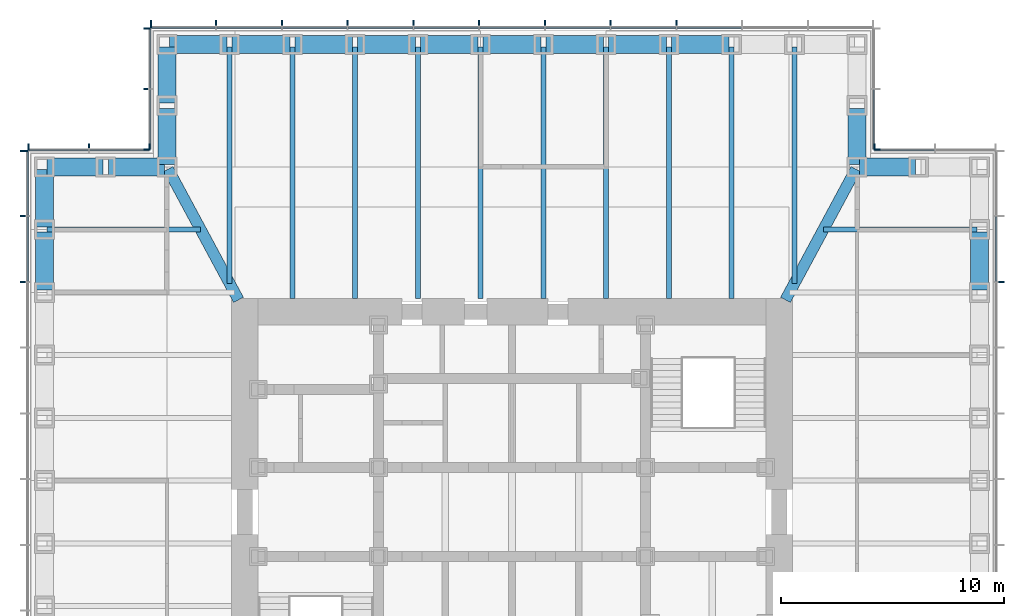
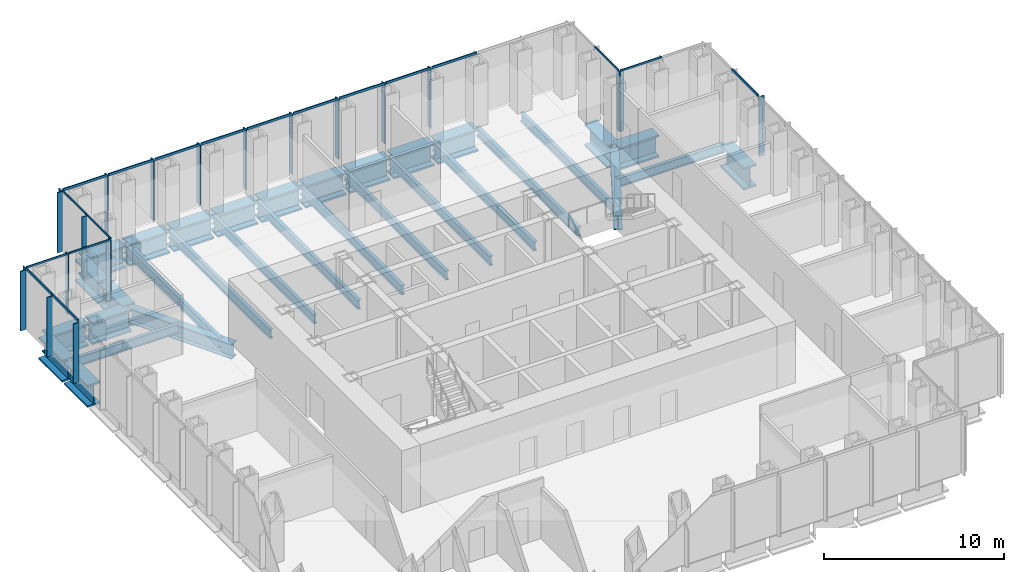
# One storey, part 5 of 16: 39 members, 32 beams, 7 elements without a shape of their own.
"""IFC4 building model written with IfcOpenShell, lengths in metres."""

from ifc_helpers import new_model, si_unit, direction, frame, origin, origin_2d, place, context, subcontext, project, spatial, rectangle, i_section, extrude, material, material_profile, profile_set, type_object, element, aggregate, save


model = new_model("IFC4")

# Units and contexts
model_context = context("Model", 3, precision=1e-05, world=origin(), true_north=direction((0.0, 1.0)))
body_context = subcontext(model_context, "Body", "Model", "MODEL_VIEW")
ifc_project = project(units=[si_unit("LENGTHUNIT", "METRE"), si_unit("AREAUNIT", "SQUARE_METRE"), si_unit("VOLUMEUNIT", "CUBIC_METRE"), si_unit("PLANEANGLEUNIT", "RADIAN"), si_unit("MASSUNIT", "GRAM", prefix="KILO")], contexts=[model_context])

# Site, building, storey
site_placement = place(None, origin())
site = spatial("IfcSite", under=ifc_project, at=site_placement, CompositionType="ELEMENT")
building_placement = place(site_placement, origin())
building = spatial("IfcBuilding", under=site, at=building_placement, Name="Daluyong Arena Tower", CompositionType="ELEMENT")
storey_placement = place(building_placement, frame((0.0, 0.0, 198.10009765625)))
storey = spatial("IfcBuildingStorey", under=building, at=storey_placement, Name="L44", CompositionType="ELEMENT", Elevation=198.10009765625)

# Curtain wall, member
ifc_material_1 = material(Name="Bronze anodised aluminium and glass", Category="aluminium")
curtain_wall_type_1 = type_object("IfcCurtainWallType", Name="Curtain wall CW3", PredefinedType="USERDEFINED", material=ifc_material_1)
curtain_wall_1_placement = place(storey_placement, origin())
curtain_wall_1 = element("IfcCurtainWall", 1, at=curtain_wall_1_placement, inside=storey, type_object=curtain_wall_type_1, Name="curtain wall L44 E", ObjectType="UNITISED CURTAIN WALL", PredefinedType="USERDEFINED")
ifc_material_2 = material(Name="Bronze anodised aluminium fin", Category="aluminium")
ifc_material_profile_1 = material_profile(ifc_material_2, rectangle(XDim=0.35009765625, YDim=0.070068359375, at=origin_2d()))
ifc_profile_set_1 = profile_set([ifc_material_profile_1], Name="Bronze anodised aluminium fin")
member_type_1 = type_object("IfcMemberType", Name="CW3 bronze fin 350x70", PredefinedType="MULLION", material=ifc_profile_set_1)
member_1_placement = place(storey_placement, frame((77.925048828125, 90.3408203125, 0.0), z_axis=(0.0, 0.0, 1.0), x_axis=(-1.0, 0.0, 0.0)))
member_1 = element("IfcMember", 2, at=member_1_placement, type_object=member_type_1, Name="curtain wall L44 E fin 10", PredefinedType="MULLION", context=body_context, shape_type="SweptSolid", body=[
    extrude(rectangle(XDim=0.35009765625, YDim=0.070068359375, at=origin_2d()), origin(), (0.0, 0.0, 1.0), 4.039794921875),
])

# Curtain wall, members
curtain_wall_2_placement = place(storey_placement, origin())
curtain_wall_2 = element("IfcCurtainWall", 3, at=curtain_wall_2_placement, inside=storey, type_object=curtain_wall_type_1, Name="curtain wall L44 N", ObjectType="UNITISED CURTAIN WALL", PredefinedType="USERDEFINED")
member_2_placement = place(storey_placement, frame((63.386474609375, 101.925048828125, 0.0), z_axis=(0.0, 0.0, 1.0), x_axis=(0.0, -1.0, 0.0)))
member_2 = element("IfcMember", 4, at=member_2_placement, type_object=member_type_1, Name="curtain wall L44 N fin 4", PredefinedType="MULLION", context=body_context, shape_type="SweptSolid", body=[
    extrude(rectangle(XDim=0.35009765625, YDim=0.070068359375, at=origin_2d()), origin(), (0.0, 0.0, 1.0), 4.039794921875),
])
member_3_placement = place(storey_placement, frame((60.431884765625, 101.925048828125, 0.0), z_axis=(0.0, 0.0, 1.0), x_axis=(0.0, -1.0, 0.0)))
member_3 = element("IfcMember", 5, at=member_3_placement, type_object=member_type_1, Name="curtain wall L44 N fin 5", PredefinedType="MULLION", context=body_context, shape_type="SweptSolid", body=[
    extrude(rectangle(XDim=0.35009765625, YDim=0.070068359375, at=origin_2d()), origin(), (0.0, 0.0, 1.0), 4.039794921875),
])
member_4_placement = place(storey_placement, frame((57.477294921875, 101.925048828125, 0.0), z_axis=(0.0, 0.0, 1.0), x_axis=(0.0, -1.0, 0.0)))
member_4 = element("IfcMember", 6, at=member_4_placement, type_object=member_type_1, Name="curtain wall L44 N fin 6", PredefinedType="MULLION", context=body_context, shape_type="SweptSolid", body=[
    extrude(rectangle(XDim=0.35009765625, YDim=0.070068359375, at=origin_2d()), origin(), (0.0, 0.0, 1.0), 4.039794921875),
])
member_5_placement = place(storey_placement, frame((54.522705078125, 101.925048828125, 0.0), z_axis=(0.0, 0.0, 1.0), x_axis=(0.0, -1.0, 0.0)))
member_5 = element("IfcMember", 7, at=member_5_placement, type_object=member_type_1, Name="curtain wall L44 N fin 7", PredefinedType="MULLION", context=body_context, shape_type="SweptSolid", body=[
    extrude(rectangle(XDim=0.35009765625, YDim=0.070068359375, at=origin_2d()), origin(), (0.0, 0.0, 1.0), 4.039794921875),
])
member_6_placement = place(storey_placement, frame((51.568115234375, 101.925048828125, 0.0), z_axis=(0.0, 0.0, 1.0), x_axis=(0.0, -1.0, 0.0)))
member_6 = element("IfcMember", 8, at=member_6_placement, type_object=member_type_1, Name="curtain wall L44 N fin 8", PredefinedType="MULLION", context=body_context, shape_type="SweptSolid", body=[
    extrude(rectangle(XDim=0.35009765625, YDim=0.070068359375, at=origin_2d()), origin(), (0.0, 0.0, 1.0), 4.039794921875),
])
member_7_placement = place(storey_placement, frame((48.613525390625, 101.925048828125, 0.0), z_axis=(0.0, 0.0, 1.0), x_axis=(0.0, -1.0, 0.0)))
member_7 = element("IfcMember", 9, at=member_7_placement, type_object=member_type_1, Name="curtain wall L44 N fin 9", PredefinedType="MULLION", context=body_context, shape_type="SweptSolid", body=[
    extrude(rectangle(XDim=0.35009765625, YDim=0.070068359375, at=origin_2d()), origin(), (0.0, 0.0, 1.0), 4.039794921875),
])
member_8_placement = place(storey_placement, frame((45.6591796875, 101.925048828125, 0.0), z_axis=(0.0, 0.0, 1.0), x_axis=(0.0, -1.0, 0.0)))
member_8 = element("IfcMember", 10, at=member_8_placement, type_object=member_type_1, Name="curtain wall L44 N fin 10", PredefinedType="MULLION", context=body_context, shape_type="SweptSolid", body=[
    extrude(rectangle(XDim=0.35009765625, YDim=0.070068359375, at=origin_2d()), origin(), (0.0, 0.0, 1.0), 4.039794921875),
])
member_9_placement = place(storey_placement, frame((42.70458984375, 101.925048828125, 0.0), z_axis=(0.0, 0.0, 1.0), x_axis=(0.0, -1.0, 0.0)))
member_9 = element("IfcMember", 11, at=member_9_placement, type_object=member_type_1, Name="curtain wall L44 N fin 11", PredefinedType="MULLION", context=body_context, shape_type="SweptSolid", body=[
    extrude(rectangle(XDim=0.35009765625, YDim=0.070068359375, at=origin_2d()), origin(), (0.0, 0.0, 1.0), 4.039794921875),
])
member_10_placement = place(storey_placement, frame((39.784912109375, 101.925048828125, 0.0), z_axis=(0.0, 0.0, 1.0), x_axis=(0.0, -1.0, 0.0)))
member_10 = element("IfcMember", 12, at=member_10_placement, type_object=member_type_1, Name="curtain wall L44 N fin 12", PredefinedType="MULLION", context=body_context, shape_type="SweptSolid", body=[
    extrude(rectangle(XDim=0.35009765625, YDim=0.070068359375, at=origin_2d()), origin(), (0.0, 0.0, 1.0), 4.039794921875),
])

curtain_wall_3_placement = place(storey_placement, origin())
curtain_wall_3 = element("IfcCurtainWall", 13, at=curtain_wall_3_placement, inside=storey, type_object=curtain_wall_type_1, Name="curtain wall L44 W", ObjectType="UNITISED CURTAIN WALL", PredefinedType="USERDEFINED")
member_11_placement = place(storey_placement, frame((34.074951171875, 96.215087890625, 0.0), z_axis=(0.0, 0.0, 1.0), x_axis=(1.0, 0.0, 0.0)))
member_11 = element("IfcMember", 14, at=member_11_placement, type_object=member_type_1, Name="curtain wall L44 W fin 1", PredefinedType="MULLION", context=body_context, shape_type="SweptSolid", body=[
    extrude(rectangle(XDim=0.35009765625, YDim=0.070068359375, at=origin_2d()), origin(), (0.0, 0.0, 1.0), 4.039794921875),
])
member_12_placement = place(storey_placement, frame((34.074951171875, 93.29541015625, 0.0), z_axis=(0.0, 0.0, 1.0), x_axis=(1.0, 0.0, 0.0)))
member_12 = element("IfcMember", 15, at=member_12_placement, type_object=member_type_1, Name="curtain wall L44 W fin 2", PredefinedType="MULLION", context=body_context, shape_type="SweptSolid", body=[
    extrude(rectangle(XDim=0.35009765625, YDim=0.070068359375, at=origin_2d()), origin(), (0.0, 0.0, 1.0), 4.039794921875),
])
member_13_placement = place(storey_placement, frame((34.074951171875, 90.3408203125, 0.0), z_axis=(0.0, 0.0, 1.0), x_axis=(1.0, 0.0, 0.0)))
member_13 = element("IfcMember", 16, at=member_13_placement, type_object=member_type_1, Name="curtain wall L44 W fin 3", PredefinedType="MULLION", context=body_context, shape_type="SweptSolid", body=[
    extrude(rectangle(XDim=0.35009765625, YDim=0.070068359375, at=origin_2d()), origin(), (0.0, 0.0, 1.0), 4.039794921875),
])

# Member
ifc_material_3 = material(Name="Bronze anodised aluminium", Category="aluminium")
ifc_material_profile_2 = material_profile(ifc_material_3, rectangle(XDim=0.070068359375, YDim=0.159912109375, at=origin_2d()))
ifc_profile_set_2 = profile_set([ifc_material_profile_2], Name="Bronze anodised aluminium")
member_type_2 = type_object("IfcMemberType", Name="CW3 stack transom 160x70", PredefinedType="USERDEFINED", material=ifc_profile_set_2)
member_14_placement = place(storey_placement, frame((77.75, 90.3759765625, 4.119873046875), z_axis=(0.0, 1.0, 0.0), x_axis=(-1.0, 0.0, 0.0)))
member_14 = element("IfcMember", 17, at=member_14_placement, type_object=member_type_2, Name="curtain wall L44 E transom 10", ObjectType="TRANSOM", PredefinedType="USERDEFINED", context=body_context, shape_type="SweptSolid", body=[
    extrude(rectangle(XDim=0.070068359375, YDim=0.159912109375, at=origin_2d()), origin(), (0.0, 0.0, 1.0), 2.884521484375),
])

aggregate(curtain_wall_1, [member_1, member_14])

member_15_placement = place(storey_placement, frame((66.305908203125, 101.75, 4.119873046875), z_axis=(-1.0, 0.0, 0.0), x_axis=(0.0, -1.0, 0.0)))
member_15 = element("IfcMember", 18, at=member_15_placement, type_object=member_type_2, Name="curtain wall L44 N transom 3", ObjectType="TRANSOM", PredefinedType="USERDEFINED", context=body_context, shape_type="SweptSolid", body=[
    extrude(rectangle(XDim=0.070068359375, YDim=0.159912109375, at=origin_2d()), origin(), (0.0, 0.0, 1.0), 2.884521484375),
])

member_16_placement = place(storey_placement, frame((63.351318359375, 101.75, 4.119873046875), z_axis=(-1.0, 0.0, 0.0), x_axis=(0.0, -1.0, 0.0)))
member_16 = element("IfcMember", 19, at=member_16_placement, type_object=member_type_2, Name="curtain wall L44 N transom 4", ObjectType="TRANSOM", PredefinedType="USERDEFINED", context=body_context, shape_type="SweptSolid", body=[
    extrude(rectangle(XDim=0.070068359375, YDim=0.159912109375, at=origin_2d()), origin(), (0.0, 0.0, 1.0), 2.884521484375),
])

member_17_placement = place(storey_placement, frame((60.396728515625, 101.75, 4.119873046875), z_axis=(-1.0, 0.0, 0.0), x_axis=(0.0, -1.0, 0.0)))
member_17 = element("IfcMember", 20, at=member_17_placement, type_object=member_type_2, Name="curtain wall L44 N transom 5", ObjectType="TRANSOM", PredefinedType="USERDEFINED", context=body_context, shape_type="SweptSolid", body=[
    extrude(rectangle(XDim=0.070068359375, YDim=0.159912109375, at=origin_2d()), origin(), (0.0, 0.0, 1.0), 2.884521484375),
])

member_18_placement = place(storey_placement, frame((57.4423828125, 101.75, 4.119873046875), z_axis=(-1.0, 0.0, 0.0), x_axis=(0.0, -1.0, 0.0)))
member_18 = element("IfcMember", 21, at=member_18_placement, type_object=member_type_2, Name="curtain wall L44 N transom 6", ObjectType="TRANSOM", PredefinedType="USERDEFINED", context=body_context, shape_type="SweptSolid", body=[
    extrude(rectangle(XDim=0.070068359375, YDim=0.159912109375, at=origin_2d()), origin(), (0.0, 0.0, 1.0), 2.884765625),
])

member_19_placement = place(storey_placement, frame((54.48779296875, 101.75, 4.119873046875), z_axis=(-1.0, 0.0, 0.0), x_axis=(0.0, -1.0, 0.0)))
member_19 = element("IfcMember", 22, at=member_19_placement, type_object=member_type_2, Name="curtain wall L44 N transom 7", ObjectType="TRANSOM", PredefinedType="USERDEFINED", context=body_context, shape_type="SweptSolid", body=[
    extrude(rectangle(XDim=0.070068359375, YDim=0.159912109375, at=origin_2d()), origin(), (0.0, 0.0, 1.0), 2.884521484375),
])

member_20_placement = place(storey_placement, frame((51.533203125, 101.75, 4.119873046875), z_axis=(-1.0, 0.0, 0.0), x_axis=(0.0, -1.0, 0.0)))
member_20 = element("IfcMember", 23, at=member_20_placement, type_object=member_type_2, Name="curtain wall L44 N transom 8", ObjectType="TRANSOM", PredefinedType="USERDEFINED", context=body_context, shape_type="SweptSolid", body=[
    extrude(rectangle(XDim=0.070068359375, YDim=0.159912109375, at=origin_2d()), origin(), (0.0, 0.0, 1.0), 2.884521484375),
])

member_21_placement = place(storey_placement, frame((48.57861328125, 101.75, 4.119873046875), z_axis=(-1.0, 0.0, 0.0), x_axis=(0.0, -1.0, 0.0)))
member_21 = element("IfcMember", 24, at=member_21_placement, type_object=member_type_2, Name="curtain wall L44 N transom 9", ObjectType="TRANSOM", PredefinedType="USERDEFINED", context=body_context, shape_type="SweptSolid", body=[
    extrude(rectangle(XDim=0.070068359375, YDim=0.159912109375, at=origin_2d()), origin(), (0.0, 0.0, 1.0), 2.884521484375),
])

member_22_placement = place(storey_placement, frame((45.6240234375, 101.75, 4.119873046875), z_axis=(-1.0, 0.0, 0.0), x_axis=(0.0, -1.0, 0.0)))
member_22 = element("IfcMember", 25, at=member_22_placement, type_object=member_type_2, Name="curtain wall L44 N transom 10", ObjectType="TRANSOM", PredefinedType="USERDEFINED", context=body_context, shape_type="SweptSolid", body=[
    extrude(rectangle(XDim=0.070068359375, YDim=0.159912109375, at=origin_2d()), origin(), (0.0, 0.0, 1.0), 2.884521484375),
])

member_23_placement = place(storey_placement, frame((42.66943359375, 101.75, 4.119873046875), z_axis=(-1.0, 0.0, 0.0), x_axis=(0.0, -1.0, 0.0)))
member_23 = element("IfcMember", 26, at=member_23_placement, type_object=member_type_2, Name="curtain wall L44 N transom 11", ObjectType="TRANSOM", PredefinedType="USERDEFINED", context=body_context, shape_type="SweptSolid", body=[
    extrude(rectangle(XDim=0.070068359375, YDim=0.159912109375, at=origin_2d()), origin(), (0.0, 0.0, 1.0), 2.849365234375),
])

aggregate(curtain_wall_2, [member_2, member_3, member_4, member_5, member_6, member_7, member_8, member_9, member_10, member_15, member_16, member_17, member_18, member_19, member_20, member_21, member_22, member_23])

member_24_placement = place(storey_placement, frame((34.25, 96.179931640625, 4.119873046875), z_axis=(0.0, -1.0, 0.0), x_axis=(1.0, 0.0, 0.0)))
member_24 = element("IfcMember", 27, at=member_24_placement, type_object=member_type_2, Name="curtain wall L44 W transom 1", ObjectType="TRANSOM", PredefinedType="USERDEFINED", context=body_context, shape_type="SweptSolid", body=[
    extrude(rectangle(XDim=0.070068359375, YDim=0.159912109375, at=origin_2d()), origin(), (0.0, 0.0, 1.0), 2.849365234375),
])

member_25_placement = place(storey_placement, frame((34.25, 93.260498046875, 4.119873046875), z_axis=(0.0, -1.0, 0.0), x_axis=(1.0, 0.0, 0.0)))
member_25 = element("IfcMember", 28, at=member_25_placement, type_object=member_type_2, Name="curtain wall L44 W transom 2", ObjectType="TRANSOM", PredefinedType="USERDEFINED", context=body_context, shape_type="SweptSolid", body=[
    extrude(rectangle(XDim=0.070068359375, YDim=0.159912109375, at=origin_2d()), origin(), (0.0, 0.0, 1.0), 2.884521484375),
])

aggregate(curtain_wall_3, [member_11, member_12, member_13, member_24, member_25])

# Curtain wall, member
ifc_material_4 = material(Name="Bronze anodised aluminium and glass", Category="aluminium")
curtain_wall_type_2 = type_object("IfcCurtainWallType", Name="Curtain wall CW7", PredefinedType="USERDEFINED", material=ifc_material_4)
curtain_wall_4_placement = place(storey_placement, origin())
curtain_wall_4 = element("IfcCurtainWall", 29, at=curtain_wall_4_placement, inside=storey, type_object=curtain_wall_type_2, Name="curtain wall L44 NE-N", ObjectType="UNITISED CURTAIN WALL", PredefinedType="USERDEFINED")
ifc_material_5 = material(Name="Bronze anodised aluminium fin", Category="aluminium")
ifc_material_profile_3 = material_profile(ifc_material_5, rectangle(XDim=0.300048828125, YDim=0.06005859375, at=origin_2d()))
ifc_profile_set_3 = profile_set([ifc_material_profile_3], Name="Bronze anodised aluminium fin")
member_type_3 = type_object("IfcMemberType", Name="CW7 bronze fin 300x60", PredefinedType="MULLION", material=ifc_profile_set_3)
member_26_placement = place(storey_placement, frame((72.280029296875, 96.39990234375, 0.0), z_axis=(0.0, 0.0, 1.0), x_axis=(0.0, -1.0, 0.0)))
member_26 = element("IfcMember", 30, at=member_26_placement, type_object=member_type_3, Name="curtain wall L44 NE-N fin 3", PredefinedType="MULLION", context=body_context, shape_type="SweptSolid", body=[
    extrude(rectangle(XDim=0.300048828125, YDim=0.06005859375, at=origin_2d()), origin(), (0.0, 0.0, 1.0), 4.079833984375),
])

curtain_wall_5_placement = place(storey_placement, origin())
curtain_wall_5 = element("IfcCurtainWall", 31, at=curtain_wall_5_placement, inside=storey, type_object=curtain_wall_type_2, Name="curtain wall L44 NE-E", ObjectType="UNITISED CURTAIN WALL", PredefinedType="USERDEFINED")
member_27_placement = place(storey_placement, frame((72.39990234375, 96.280029296875, 0.0), z_axis=(0.0, 0.0, 1.0), x_axis=(-1.0, 0.0, 0.0)))
member_27 = element("IfcMember", 32, at=member_27_placement, type_object=member_type_3, Name="curtain wall L44 NE-E fin 1", PredefinedType="MULLION", context=body_context, shape_type="SweptSolid", body=[
    extrude(rectangle(XDim=0.300048828125, YDim=0.06005859375, at=origin_2d()), origin(), (0.0, 0.0, 1.0), 4.079833984375),
])

# Curtain wall, members
curtain_wall_6_placement = place(storey_placement, origin())
curtain_wall_6 = element("IfcCurtainWall", 33, at=curtain_wall_6_placement, inside=storey, type_object=curtain_wall_type_2, Name="curtain wall L44 NW-W", ObjectType="UNITISED CURTAIN WALL", PredefinedType="USERDEFINED")
member_28_placement = place(storey_placement, frame((39.60009765625, 101.719970703125, 0.0), z_axis=(0.0, 0.0, 1.0), x_axis=(1.0, 0.0, 0.0)))
member_28 = element("IfcMember", 34, at=member_28_placement, type_object=member_type_3, Name="curtain wall L44 NW-W fin 1", PredefinedType="MULLION", context=body_context, shape_type="SweptSolid", body=[
    extrude(rectangle(XDim=0.300048828125, YDim=0.06005859375, at=origin_2d()), origin(), (0.0, 0.0, 1.0), 4.079833984375),
])
member_29_placement = place(storey_placement, frame((39.60009765625, 99.0, 0.0), z_axis=(0.0, 0.0, 1.0), x_axis=(1.0, 0.0, 0.0)))
member_29 = element("IfcMember", 35, at=member_29_placement, type_object=member_type_3, Name="curtain wall L44 NW-W fin 2", PredefinedType="MULLION", context=body_context, shape_type="SweptSolid", body=[
    extrude(rectangle(XDim=0.300048828125, YDim=0.06005859375, at=origin_2d()), origin(), (0.0, 0.0, 1.0), 4.079833984375),
])
member_30_placement = place(storey_placement, frame((39.60009765625, 96.280029296875, 0.0), z_axis=(0.0, 0.0, 1.0), x_axis=(1.0, 0.0, 0.0)))
member_30 = element("IfcMember", 36, at=member_30_placement, type_object=member_type_3, Name="curtain wall L44 NW-W fin 3", PredefinedType="MULLION", context=body_context, shape_type="SweptSolid", body=[
    extrude(rectangle(XDim=0.300048828125, YDim=0.06005859375, at=origin_2d()), origin(), (0.0, 0.0, 1.0), 4.079833984375),
])

curtain_wall_7_placement = place(storey_placement, origin())
curtain_wall_7 = element("IfcCurtainWall", 37, at=curtain_wall_7_placement, inside=storey, type_object=curtain_wall_type_2, Name="curtain wall L44 NW-N", ObjectType="UNITISED CURTAIN WALL", PredefinedType="USERDEFINED")
member_31_placement = place(storey_placement, frame((39.719970703125, 96.39990234375, 0.0), z_axis=(0.0, 0.0, 1.0), x_axis=(0.0, -1.0, 0.0)))
member_31 = element("IfcMember", 38, at=member_31_placement, type_object=member_type_3, Name="curtain wall L44 NW-N fin 1", PredefinedType="MULLION", context=body_context, shape_type="SweptSolid", body=[
    extrude(rectangle(XDim=0.300048828125, YDim=0.06005859375, at=origin_2d()), origin(), (0.0, 0.0, 1.0), 4.079833984375),
])
member_32_placement = place(storey_placement, frame((37.0, 96.39990234375, 0.0), z_axis=(0.0, 0.0, 1.0), x_axis=(0.0, -1.0, 0.0)))
member_32 = element("IfcMember", 39, at=member_32_placement, type_object=member_type_3, Name="curtain wall L44 NW-N fin 2", PredefinedType="MULLION", context=body_context, shape_type="SweptSolid", body=[
    extrude(rectangle(XDim=0.300048828125, YDim=0.06005859375, at=origin_2d()), origin(), (0.0, 0.0, 1.0), 4.079833984375),
])
member_33_placement = place(storey_placement, frame((34.280029296875, 96.39990234375, 0.0), z_axis=(0.0, 0.0, 1.0), x_axis=(0.0, -1.0, 0.0)))
member_33 = element("IfcMember", 40, at=member_33_placement, type_object=member_type_3, Name="curtain wall L44 NW-N fin 3", PredefinedType="MULLION", context=body_context, shape_type="SweptSolid", body=[
    extrude(rectangle(XDim=0.300048828125, YDim=0.06005859375, at=origin_2d()), origin(), (0.0, 0.0, 1.0), 4.079833984375),
])

# Member
ifc_material_6 = material(Name="Bronze anodised aluminium", Category="aluminium")
ifc_material_profile_4 = material_profile(ifc_material_6, rectangle(XDim=0.06005859375, YDim=0.1201171875, at=origin_2d()))
ifc_profile_set_4 = profile_set([ifc_material_profile_4], Name="Bronze anodised aluminium")
member_type_4 = type_object("IfcMemberType", Name="CW7 stack transom 120x60", PredefinedType="USERDEFINED", material=ifc_profile_set_4)
member_34_placement = place(storey_placement, frame((74.969970703125, 96.25, 4.139892578125), z_axis=(-1.0, 0.0, 0.0), x_axis=(0.0, -1.0, 0.0)))
member_34 = element("IfcMember", 41, at=member_34_placement, type_object=member_type_4, Name="curtain wall L44 NE-N transom 2", ObjectType="TRANSOM", PredefinedType="USERDEFINED", context=body_context, shape_type="SweptSolid", body=[
    extrude(rectangle(XDim=0.06005859375, YDim=0.1201171875, at=origin_2d()), origin(), (0.0, 0.0, 1.0), 2.659912109375),
])

aggregate(curtain_wall_4, [member_26, member_34])

member_35_placement = place(storey_placement, frame((72.25, 96.31005859375, 4.139892578125), z_axis=(0.0, 1.0, 0.0), x_axis=(-1.0, 0.0, 0.0)))
member_35 = element("IfcMember", 42, at=member_35_placement, type_object=member_type_4, Name="curtain wall L44 NE-E transom 1", ObjectType="TRANSOM", PredefinedType="USERDEFINED", context=body_context, shape_type="SweptSolid", body=[
    extrude(rectangle(XDim=0.06005859375, YDim=0.1201171875, at=origin_2d()), origin(), (0.0, 0.0, 1.0), 2.659912109375),
])

aggregate(curtain_wall_5, [member_27, member_35])

member_36_placement = place(storey_placement, frame((39.75, 101.68994140625, 4.139892578125), z_axis=(0.0, -1.0, 0.0), x_axis=(1.0, 0.0, 0.0)))
member_36 = element("IfcMember", 43, at=member_36_placement, type_object=member_type_4, Name="curtain wall L44 NW-W transom 1", ObjectType="TRANSOM", PredefinedType="USERDEFINED", context=body_context, shape_type="SweptSolid", body=[
    extrude(rectangle(XDim=0.06005859375, YDim=0.1201171875, at=origin_2d()), origin(), (0.0, 0.0, 1.0), 2.659912109375),
])

member_37_placement = place(storey_placement, frame((39.75, 98.969970703125, 4.139892578125), z_axis=(0.0, -1.0, 0.0), x_axis=(1.0, 0.0, 0.0)))
member_37 = element("IfcMember", 44, at=member_37_placement, type_object=member_type_4, Name="curtain wall L44 NW-W transom 2", ObjectType="TRANSOM", PredefinedType="USERDEFINED", context=body_context, shape_type="SweptSolid", body=[
    extrude(rectangle(XDim=0.06005859375, YDim=0.1201171875, at=origin_2d()), origin(), (0.0, 0.0, 1.0), 2.659912109375),
])

aggregate(curtain_wall_6, [member_28, member_29, member_30, member_36, member_37])

member_38_placement = place(storey_placement, frame((39.68994140625, 96.25, 4.139892578125), z_axis=(-1.0, 0.0, 0.0), x_axis=(0.0, -1.0, 0.0)))
member_38 = element("IfcMember", 45, at=member_38_placement, type_object=member_type_4, Name="curtain wall L44 NW-N transom 1", ObjectType="TRANSOM", PredefinedType="USERDEFINED", context=body_context, shape_type="SweptSolid", body=[
    extrude(rectangle(XDim=0.06005859375, YDim=0.1201171875, at=origin_2d()), origin(), (0.0, 0.0, 1.0), 2.659912109375),
])

member_39_placement = place(storey_placement, frame((36.969970703125, 96.25, 4.139892578125), z_axis=(-1.0, 0.0, 0.0), x_axis=(0.0, -1.0, 0.0)))
member_39 = element("IfcMember", 46, at=member_39_placement, type_object=member_type_4, Name="curtain wall L44 NW-N transom 2", ObjectType="TRANSOM", PredefinedType="USERDEFINED", context=body_context, shape_type="SweptSolid", body=[
    extrude(rectangle(XDim=0.06005859375, YDim=0.1201171875, at=origin_2d()), origin(), (0.0, 0.0, 1.0), 2.659912109375),
])

aggregate(curtain_wall_7, [member_31, member_32, member_33, member_38, member_39])

# Beams
ifc_material_7 = material(Name="Steel ASTM A572 Grade 50", Category="steel")
ifc_material_profile_5 = material_profile(ifc_material_7, i_section(OverallWidth=0.5, OverallDepth=1.0, WebThickness=0.03, FlangeThickness=0.06, at=origin_2d()))
ifc_profile_set_5 = profile_set([ifc_material_profile_5], Name="Steel ASTM A572 Grade 50")
beam_type_1 = type_object("IfcBeamType", Name="Corner girder TB1000X500", PredefinedType="BEAM", material=ifc_profile_set_5)
for number, where, z_axis, x_axis, name in (
    (47, (71.445556640625, 95.398681640625, -0.66015625), (-0.474119475266, -0.880460517669, 0.0), (0.880460517669, -0.474119475266, 0.0), "corner girder DG2"),
    (48, (40.554443359375, 95.398681640625, -0.66015625), (0.474119475266, -0.880460517669, 0.0), (0.880460517669, 0.474119475266, 0.0), "corner girder DG2"),
):
    element("IfcBeam", number, at=place(storey_placement, frame(where, z_axis=z_axis, x_axis=x_axis)), inside=storey, type_object=beam_type_1, Name=name, PredefinedType="BEAM", context=body_context, shape_type="SweptSolid", body=[
        extrude(i_section(OverallWidth=0.5, OverallDepth=1.0, WebThickness=0.03, FlangeThickness=0.06, at=origin_2d()), origin(), (0.0, 0.0, 1.0), 6.66748046875),
    ])
ifc_material_8 = material(Name="Steel ASTM A992 Grade 50", Category="steel")
ifc_material_profile_6 = material_profile(ifc_material_8, i_section(OverallWidth=0.22900390625, OverallDepth=0.612060546875, WebThickness=0.011962890625, FlangeThickness=0.01953125, at=origin_2d()))
ifc_profile_set_6 = profile_set([ifc_material_profile_6], Name="Steel ASTM A992 Grade 50")
beam_type_2 = type_object("IfcBeamType", Name="Floor beam W24X84", PredefinedType="BEAM", material=ifc_profile_set_6)
beam_1_placement = place(storey_placement, frame((76.885009765625, 92.681884765625, -0.466064453125), z_axis=(-1.0, 0.0, 0.0), x_axis=(0.0, -1.0, 0.0)))
element("IfcBeam", 49, at=beam_1_placement, inside=storey, type_object=beam_type_2, Name="floor beam FB3", PredefinedType="BEAM", context=body_context, shape_type="SweptSolid", body=[
    extrude(i_section(OverallWidth=0.22900390625, OverallDepth=0.612060546875, WebThickness=0.011962890625, FlangeThickness=0.01953125, at=origin_2d()), origin(), (0.0, 0.0, 1.0), 6.902587890625),
])
beam_2_placement = place(storey_placement, frame((68.681884765625, 100.885009765625, -0.466064453125), z_axis=(0.0, -1.0, 0.0), x_axis=(1.0, 0.0, 0.0)))
element("IfcBeam", 50, at=beam_2_placement, inside=storey, type_object=beam_type_2, Name="floor beam FB3", PredefinedType="BEAM", context=body_context, shape_type="SweptSolid", body=[
    extrude(i_section(OverallWidth=0.22900390625, OverallDepth=0.612060546875, WebThickness=0.011962890625, FlangeThickness=0.01953125, at=origin_2d()), origin(), (0.0, 0.0, 1.0), 10.618896484375),
])
for number, where, z_axis, x_axis, name in (
    (51, (65.863525390625, 100.885009765625, -0.466064453125), (0.0, -1.0, 0.0), (1.0, 0.0, 0.0), "floor beam FB3"),
    (52, (63.04541015625, 100.885009765625, -0.466064453125), (0.0, -1.0, 0.0), (1.0, 0.0, 0.0), "floor beam FB3"),
    (53, (60.227294921875, 100.885009765625, -0.466064453125), (0.0, -1.0, 0.0), (1.0, 0.0, 0.0), "floor beam FB3"),
    (54, (57.4091796875, 100.885009765625, -0.466064453125), (0.0, -1.0, 0.0), (1.0, 0.0, 0.0), "floor beam FB3"),
    (55, (54.5908203125, 100.885009765625, -0.466064453125), (0.0, -1.0, 0.0), (1.0, 0.0, 0.0), "floor beam FB3"),
    (56, (51.772705078125, 100.885009765625, -0.466064453125), (0.0, -1.0, 0.0), (1.0, 0.0, 0.0), "floor beam FB3"),
    (57, (48.95458984375, 100.885009765625, -0.466064453125), (0.0, -1.0, 0.0), (1.0, 0.0, 0.0), "floor beam FB3"),
    (58, (46.136474609375, 100.885009765625, -0.466064453125), (0.0, -1.0, 0.0), (1.0, 0.0, 0.0), "floor beam FB3"),
):
    element("IfcBeam", number, at=place(storey_placement, frame(where, z_axis=z_axis, x_axis=x_axis)), inside=storey, type_object=beam_type_2, Name=name, PredefinedType="BEAM", context=body_context, shape_type="SweptSolid", body=[
        extrude(i_section(OverallWidth=0.22900390625, OverallDepth=0.612060546875, WebThickness=0.011962890625, FlangeThickness=0.01953125, at=origin_2d()), origin(), (0.0, 0.0, 1.0), 11.284912109375),
    ])
beam_3_placement = place(storey_placement, frame((43.318115234375, 100.885009765625, -0.466064453125), z_axis=(0.0, -1.0, 0.0), x_axis=(1.0, 0.0, 0.0)))
element("IfcBeam", 59, at=beam_3_placement, inside=storey, type_object=beam_type_2, Name="floor beam FB3", PredefinedType="BEAM", context=body_context, shape_type="SweptSolid", body=[
    extrude(i_section(OverallWidth=0.22900390625, OverallDepth=0.612060546875, WebThickness=0.011962890625, FlangeThickness=0.01953125, at=origin_2d()), origin(), (0.0, 0.0, 1.0), 10.618896484375),
])
beam_4_placement = place(storey_placement, frame((35.114990234375, 92.681884765625, -0.466064453125), z_axis=(1.0, 0.0, 0.0), x_axis=(0.0, 1.0, 0.0)))
element("IfcBeam", 60, at=beam_4_placement, inside=storey, type_object=beam_type_2, Name="floor beam FB3", PredefinedType="BEAM", context=body_context, shape_type="SweptSolid", body=[
    extrude(i_section(OverallWidth=0.22900390625, OverallDepth=0.612060546875, WebThickness=0.011962890625, FlangeThickness=0.01953125, at=origin_2d()), origin(), (0.0, 0.0, 1.0), 6.902587890625),
])
ifc_material_9 = material(Name="Steel ASTM A588 Grade 50", Category="steel")
ifc_material_profile_7 = material_profile(ifc_material_9, i_section(OverallWidth=0.800048828125, OverallDepth=1.5, WebThickness=0.05, FlangeThickness=0.12, at=origin_2d()))
ifc_profile_set_7 = profile_set([ifc_material_profile_7], Name="Steel ASTM A588 Grade 50")
beam_type_3 = type_object("IfcBeamType", Name="Spandrel Z3 PG1500X800", PredefinedType="SPANDREL", material=ifc_profile_set_7)
beam_5_placement = place(storey_placement, frame((77.0, 89.978515625, -0.91015625), z_axis=(0.0, 1.0, 0.0), x_axis=(-1.0, 0.0, 0.0)))
element("IfcBeam", 61, at=beam_5_placement, inside=storey, type_object=beam_type_3, Name="spandrel z3 SB7", PredefinedType="SPANDREL", context=body_context, shape_type="SweptSolid", body=[
    extrude(i_section(OverallWidth=0.800048828125, OverallDepth=1.5, WebThickness=0.05, FlangeThickness=0.12, at=origin_2d()), origin(), (0.0, 0.0, 1.0), 2.58837890625),
])
for number, where, z_axis, x_axis, name in (
    (62, (74.135009765625, 95.5, -0.91015625), (-1.0, 0.0, 0.0), (0.0, -1.0, 0.0), "spandrel z3 SB7"),
    (63, (71.5, 95.614990234375, -0.91015625), (0.0, 1.0, 0.0), (-1.0, 0.0, 0.0), "spandrel z3 SB7"),
):
    element("IfcBeam", number, at=place(storey_placement, frame(where, z_axis=z_axis, x_axis=x_axis)), inside=storey, type_object=beam_type_3, Name=name, PredefinedType="SPANDREL", context=body_context, shape_type="SweptSolid", body=[
        extrude(i_section(OverallWidth=0.800048828125, OverallDepth=1.5, WebThickness=0.05, FlangeThickness=0.12, at=origin_2d()), origin(), (0.0, 0.0, 1.0), 2.52001953125),
    ])
for number, where, z_axis, x_axis, name in (
    (64, (65.74853515625, 101.0, -0.91015625), (-1.0, 0.0, 0.0), (0.0, -1.0, 0.0), "spandrel z3 SB7"),
    (65, (62.930419921875, 101.0, -0.91015625), (-1.0, 0.0, 0.0), (0.0, -1.0, 0.0), "spandrel z3 SB7"),
    (66, (60.1123046875, 101.0, -0.91015625), (-1.0, 0.0, 0.0), (0.0, -1.0, 0.0), "spandrel z3 SB7"),
):
    element("IfcBeam", number, at=place(storey_placement, frame(where, z_axis=z_axis, x_axis=x_axis)), inside=storey, type_object=beam_type_3, Name=name, PredefinedType="SPANDREL", context=body_context, shape_type="SweptSolid", body=[
        extrude(i_section(OverallWidth=0.800048828125, OverallDepth=1.5, WebThickness=0.05, FlangeThickness=0.12, at=origin_2d()), origin(), (0.0, 0.0, 1.0), 2.588134765625),
    ])
beam_6_placement = place(storey_placement, frame((57.294189453125, 101.0, -0.91015625), z_axis=(-1.0, 0.0, 0.0), x_axis=(0.0, -1.0, 0.0)))
element("IfcBeam", 67, at=beam_6_placement, inside=storey, type_object=beam_type_3, Name="spandrel z3 SB7", PredefinedType="SPANDREL", context=body_context, shape_type="SweptSolid", body=[
    extrude(i_section(OverallWidth=0.800048828125, OverallDepth=1.5, WebThickness=0.05, FlangeThickness=0.12, at=origin_2d()), origin(), (0.0, 0.0, 1.0), 2.58837890625),
])
for number, where, z_axis, x_axis, name in (
    (68, (54.475830078125, 101.0, -0.91015625), (-1.0, 0.0, 0.0), (0.0, -1.0, 0.0), "spandrel z3 SB7"),
    (69, (51.65771484375, 101.0, -0.91015625), (-1.0, 0.0, 0.0), (0.0, -1.0, 0.0), "spandrel z3 SB7"),
    (70, (48.839599609375, 101.0, -0.91015625), (-1.0, 0.0, 0.0), (0.0, -1.0, 0.0), "spandrel z3 SB7"),
):
    element("IfcBeam", number, at=place(storey_placement, frame(where, z_axis=z_axis, x_axis=x_axis)), inside=storey, type_object=beam_type_3, Name=name, PredefinedType="SPANDREL", context=body_context, shape_type="SweptSolid", body=[
        extrude(i_section(OverallWidth=0.800048828125, OverallDepth=1.5, WebThickness=0.05, FlangeThickness=0.12, at=origin_2d()), origin(), (0.0, 0.0, 1.0), 2.588134765625),
    ])
beam_7_placement = place(storey_placement, frame((46.021484375, 101.0, -0.91015625), z_axis=(-1.0, 0.0, 0.0), x_axis=(0.0, -1.0, 0.0)))
element("IfcBeam", 71, at=beam_7_placement, inside=storey, type_object=beam_type_3, Name="spandrel z3 SB7", PredefinedType="SPANDREL", context=body_context, shape_type="SweptSolid", body=[
    extrude(i_section(OverallWidth=0.800048828125, OverallDepth=1.5, WebThickness=0.05, FlangeThickness=0.12, at=origin_2d()), origin(), (0.0, 0.0, 1.0), 2.58837890625),
])
beam_8_placement = place(storey_placement, frame((43.203125, 101.0, -0.91015625), z_axis=(-1.0, 0.0, 0.0), x_axis=(0.0, -1.0, 0.0)))
element("IfcBeam", 72, at=beam_8_placement, inside=storey, type_object=beam_type_3, Name="spandrel z3 SB7", PredefinedType="SPANDREL", context=body_context, shape_type="SweptSolid", body=[
    extrude(i_section(OverallWidth=0.800048828125, OverallDepth=1.5, WebThickness=0.05, FlangeThickness=0.12, at=origin_2d()), origin(), (0.0, 0.0, 1.0), 2.588134765625),
])
for number, where, z_axis, x_axis, name in (
    (73, (40.5, 100.885009765625, -0.91015625), (0.0, -1.0, 0.0), (1.0, 0.0, 0.0), "spandrel z3 SB7"),
    (74, (40.5, 98.135009765625, -0.91015625), (0.0, -1.0, 0.0), (1.0, 0.0, 0.0), "spandrel z3 SB7"),
    (75, (40.385009765625, 95.5, -0.91015625), (-1.0, 0.0, 0.0), (0.0, -1.0, 0.0), "spandrel z3 SB7"),
    (76, (37.635009765625, 95.5, -0.91015625), (-1.0, 0.0, 0.0), (0.0, -1.0, 0.0), "spandrel z3 SB7"),
):
    element("IfcBeam", number, at=place(storey_placement, frame(where, z_axis=z_axis, x_axis=x_axis)), inside=storey, type_object=beam_type_3, Name=name, PredefinedType="SPANDREL", context=body_context, shape_type="SweptSolid", body=[
        extrude(i_section(OverallWidth=0.800048828125, OverallDepth=1.5, WebThickness=0.05, FlangeThickness=0.12, at=origin_2d()), origin(), (0.0, 0.0, 1.0), 2.52001953125),
    ])
beam_9_placement = place(storey_placement, frame((35.0, 95.385009765625, -0.91015625), z_axis=(0.0, -1.0, 0.0), x_axis=(1.0, 0.0, 0.0)))
element("IfcBeam", 77, at=beam_9_placement, inside=storey, type_object=beam_type_3, Name="spandrel z3 SB7", PredefinedType="SPANDREL", context=body_context, shape_type="SweptSolid", body=[
    extrude(i_section(OverallWidth=0.800048828125, OverallDepth=1.5, WebThickness=0.05, FlangeThickness=0.12, at=origin_2d()), origin(), (0.0, 0.0, 1.0), 2.588134765625),
])
beam_10_placement = place(storey_placement, frame((35.0, 92.56689453125, -0.91015625), z_axis=(0.0, -1.0, 0.0), x_axis=(1.0, 0.0, 0.0)))
element("IfcBeam", 78, at=beam_10_placement, inside=storey, type_object=beam_type_3, Name="spandrel z3 SB7", PredefinedType="SPANDREL", context=body_context, shape_type="SweptSolid", body=[
    extrude(i_section(OverallWidth=0.800048828125, OverallDepth=1.5, WebThickness=0.05, FlangeThickness=0.12, at=origin_2d()), origin(), (0.0, 0.0, 1.0), 2.58837890625),
])

save(model, "model.ifc")
